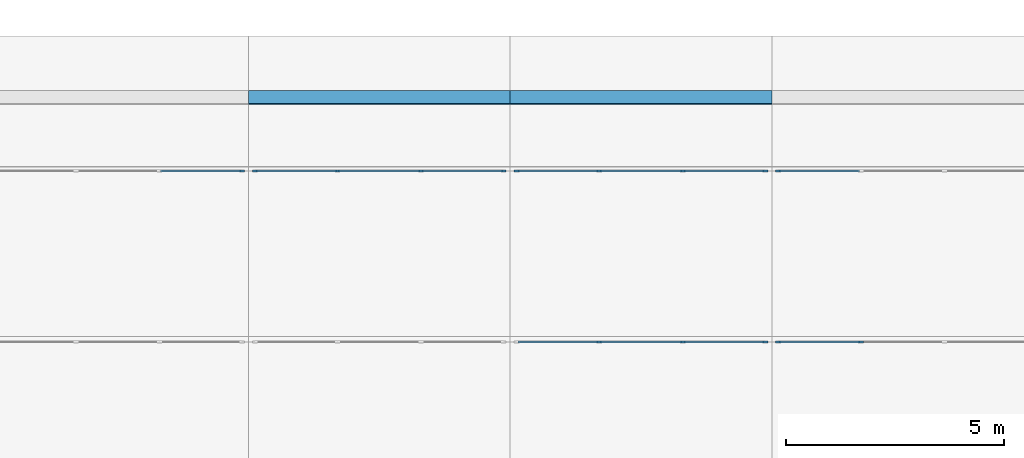
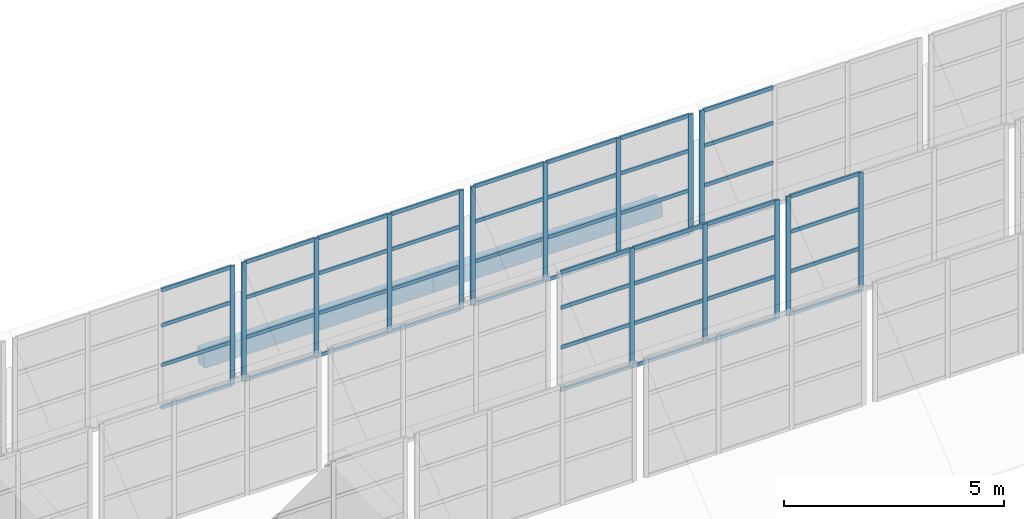
# One storey, part 30 of 122: 63 members, 2 beams, 6 elements without a shape of their own.
"""IFC4 building model written with IfcOpenShell, lengths in metres."""

from ifc_helpers import new_model, si_unit, direction, frame, origin, origin_2d, place, context, subcontext, project, spatial, rectangle, extrude, material, layer, layer_set, material_profile, profile_set, type_object, element, aggregate, save


model = new_model("IFC4")

# Units and contexts
model_context = context("Model", 3, precision=1e-05, world=origin(), true_north=direction((0.0, 1.0)))
body_context = subcontext(model_context, "Body", "Model", "MODEL_VIEW")
ifc_project = project(units=[si_unit("LENGTHUNIT", "METRE"), si_unit("AREAUNIT", "SQUARE_METRE"), si_unit("VOLUMEUNIT", "CUBIC_METRE"), si_unit("PLANEANGLEUNIT", "RADIAN"), si_unit("MASSUNIT", "GRAM", prefix="KILO")], contexts=[model_context])

# Site, building, storey
site_placement = place(None, origin())
site = spatial("IfcSite", under=ifc_project, at=site_placement, CompositionType="ELEMENT")
building_placement = place(site_placement, origin())
building = spatial("IfcBuilding", under=site, at=building_placement, Name="Ridgestep Commons", CompositionType="ELEMENT")
storey_placement = place(building_placement, frame((0.0, 0.0, 3.0)))
storey = spatial("IfcBuildingStorey", under=building, at=storey_placement, Name="L01", CompositionType="ELEMENT", Elevation=3.0)

# Beams
ifc_material_1 = material(Name="Precast concrete C40/50", Category="concrete")
ifc_material_profile_1 = material_profile(ifc_material_1, rectangle(XDim=0.300048828125, YDim=0.449951171875, at=origin_2d()), Name="Arcade beam 300 x 450")
ifc_profile_set_1 = profile_set([ifc_material_profile_1], Name="Precast concrete C40/50")
beam_type = type_object("IfcBeamType", Name="Arcade beam 300 x 450", PredefinedType="BEAM", material=ifc_profile_set_1)
for number, where, z_axis, x_axis, name in (
    (1, (193.800048828125, 47.58642578125, 0.87939453125), (1.0, 0.0, 0.0), (0.0, 0.998204845466, -0.05989229072), "Arcade beam"),
    (2, (199.800048828125, 47.58642578125, 0.87939453125), (1.0, 0.0, 0.0), (0.0, 0.998204845466, -0.05989229072), "Arcade beam"),
):
    element("IfcBeam", number, at=place(storey_placement, frame(where, z_axis=z_axis, x_axis=x_axis)), inside=storey, type_object=beam_type, Name=name, PredefinedType="BEAM", context=body_context, shape_type="SweptSolid", body=[
        extrude(rectangle(XDim=0.300048828125, YDim=0.449951171875, at=origin_2d()), origin(), (0.0, 0.0, 1.0), 6.0),
    ])

# Curtain wall, member
ifc_material_2 = material(Name="Aluminium and glass", Category="aluminium")
ifc_layer = layer(ifc_material_2, 0.14990234375)
ifc_layer_set = layer_set([ifc_layer], Name="Shop clerestory curtain wall")
curtain_wall_type = type_object("IfcCurtainWallType", Name="Shop clerestory curtain wall", PredefinedType="NOTDEFINED", material=ifc_layer_set)
curtain_wall_1_placement = place(storey_placement, origin())
curtain_wall_1 = element("IfcCurtainWall", 3, at=curtain_wall_1_placement, inside=storey, type_object=curtain_wall_type, Name="Shop clerestory curtain wall", PredefinedType="NOTDEFINED")
ifc_material_3 = material(Name="Aluminium", Category="aluminium")
ifc_material_profile_2 = material_profile(ifc_material_3, rectangle(XDim=0.050048828125, YDim=0.1201171875, at=origin_2d()), Name="Shop clerestory mullion 50 x 120")
ifc_profile_set_2 = profile_set([ifc_material_profile_2], Name="Aluminium")
member_type_1 = type_object("IfcMemberType", Name="Shop clerestory mullion 50 x 120", PredefinedType="MULLION", material=ifc_profile_set_2)
member_1_placement = place(storey_placement, frame((193.64990234375, 45.89990234375, 1.199951171875), z_axis=(0.0, 0.0, 1.0), x_axis=(0.0, 1.0, 0.0)))
member_1 = element("IfcMember", 4, at=member_1_placement, type_object=member_type_1, Name="CW5 mullion 4", PredefinedType="MULLION", context=body_context, shape_type="SweptSolid", body=[
    extrude(rectangle(XDim=0.050048828125, YDim=0.1201171875, at=origin_2d()), origin(), (0.0, 0.0, 1.0), 3.300048828125),
])

# Curtain wall, members
curtain_wall_2_placement = place(storey_placement, origin())
curtain_wall_2 = element("IfcCurtainWall", 5, at=curtain_wall_2_placement, inside=storey, type_object=curtain_wall_type, Name="Shop clerestory curtain wall", PredefinedType="NOTDEFINED")
member_2_placement = place(storey_placement, frame((193.949951171875, 45.89990234375, 1.199951171875), z_axis=(0.0, 0.0, 1.0), x_axis=(0.0, 1.0, 0.0)))
member_2 = element("IfcMember", 6, at=member_2_placement, type_object=member_type_1, Name="CW5 mullion 1", PredefinedType="MULLION", context=body_context, shape_type="SweptSolid", body=[
    extrude(rectangle(XDim=0.050048828125, YDim=0.1201171875, at=origin_2d()), origin(), (0.0, 0.0, 1.0), 3.300048828125),
])
member_3_placement = place(storey_placement, frame((195.841552734375, 45.89990234375, 1.199951171875), z_axis=(0.0, 0.0, 1.0), x_axis=(0.0, 1.0, 0.0)))
member_3 = element("IfcMember", 7, at=member_3_placement, type_object=member_type_1, Name="CW5 mullion 2", PredefinedType="MULLION", context=body_context, shape_type="SweptSolid", body=[
    extrude(rectangle(XDim=0.050048828125, YDim=0.1201171875, at=origin_2d()), origin(), (0.0, 0.0, 1.0), 3.300048828125),
])
member_4_placement = place(storey_placement, frame((197.75830078125, 45.89990234375, 1.199951171875), z_axis=(0.0, 0.0, 1.0), x_axis=(0.0, 1.0, 0.0)))
member_4 = element("IfcMember", 8, at=member_4_placement, type_object=member_type_1, Name="CW5 mullion 3", PredefinedType="MULLION", context=body_context, shape_type="SweptSolid", body=[
    extrude(rectangle(XDim=0.050048828125, YDim=0.1201171875, at=origin_2d()), origin(), (0.0, 0.0, 1.0), 3.300048828125),
])
member_5_placement = place(storey_placement, frame((199.64990234375, 45.89990234375, 1.199951171875), z_axis=(0.0, 0.0, 1.0), x_axis=(0.0, 1.0, 0.0)))
member_5 = element("IfcMember", 9, at=member_5_placement, type_object=member_type_1, Name="CW5 mullion 4", PredefinedType="MULLION", context=body_context, shape_type="SweptSolid", body=[
    extrude(rectangle(XDim=0.050048828125, YDim=0.1201171875, at=origin_2d()), origin(), (0.0, 0.0, 1.0), 3.300048828125),
])

curtain_wall_3_placement = place(storey_placement, origin())
curtain_wall_3 = element("IfcCurtainWall", 10, at=curtain_wall_3_placement, inside=storey, type_object=curtain_wall_type, Name="Shop clerestory curtain wall", PredefinedType="NOTDEFINED")
member_6_placement = place(storey_placement, frame((201.841552734375, 41.97509765625, 1.199951171875), z_axis=(0.0, 0.0, 1.0), x_axis=(0.0, 1.0, 0.0)))
member_6 = element("IfcMember", 11, at=member_6_placement, type_object=member_type_1, Name="CW5 mullion 2", PredefinedType="MULLION", context=body_context, shape_type="SweptSolid", body=[
    extrude(rectangle(XDim=0.050048828125, YDim=0.1201171875, at=origin_2d()), origin(), (0.0, 0.0, 1.0), 3.300048828125),
])
member_7_placement = place(storey_placement, frame((203.75830078125, 41.97509765625, 1.199951171875), z_axis=(0.0, 0.0, 1.0), x_axis=(0.0, 1.0, 0.0)))
member_7 = element("IfcMember", 12, at=member_7_placement, type_object=member_type_1, Name="CW5 mullion 3", PredefinedType="MULLION", context=body_context, shape_type="SweptSolid", body=[
    extrude(rectangle(XDim=0.050048828125, YDim=0.1201171875, at=origin_2d()), origin(), (0.0, 0.0, 1.0), 3.300048828125),
])
member_8_placement = place(storey_placement, frame((205.64990234375, 41.97509765625, 1.199951171875), z_axis=(0.0, 0.0, 1.0), x_axis=(0.0, 1.0, 0.0)))
member_8 = element("IfcMember", 13, at=member_8_placement, type_object=member_type_1, Name="CW5 mullion 4", PredefinedType="MULLION", context=body_context, shape_type="SweptSolid", body=[
    extrude(rectangle(XDim=0.050048828125, YDim=0.1201171875, at=origin_2d()), origin(), (0.0, 0.0, 1.0), 3.300048828125),
])

curtain_wall_4_placement = place(storey_placement, origin())
curtain_wall_4 = element("IfcCurtainWall", 14, at=curtain_wall_4_placement, inside=storey, type_object=curtain_wall_type, Name="Shop clerestory curtain wall", PredefinedType="NOTDEFINED")
member_9_placement = place(storey_placement, frame((199.949951171875, 45.89990234375, 1.199951171875), z_axis=(0.0, 0.0, 1.0), x_axis=(0.0, 1.0, 0.0)))
member_9 = element("IfcMember", 15, at=member_9_placement, type_object=member_type_1, Name="CW5 mullion 1", PredefinedType="MULLION", context=body_context, shape_type="SweptSolid", body=[
    extrude(rectangle(XDim=0.050048828125, YDim=0.1201171875, at=origin_2d()), origin(), (0.0, 0.0, 1.0), 3.300048828125),
])
member_10_placement = place(storey_placement, frame((201.841552734375, 45.89990234375, 1.199951171875), z_axis=(0.0, 0.0, 1.0), x_axis=(0.0, 1.0, 0.0)))
member_10 = element("IfcMember", 16, at=member_10_placement, type_object=member_type_1, Name="CW5 mullion 2", PredefinedType="MULLION", context=body_context, shape_type="SweptSolid", body=[
    extrude(rectangle(XDim=0.050048828125, YDim=0.1201171875, at=origin_2d()), origin(), (0.0, 0.0, 1.0), 3.300048828125),
])
member_11_placement = place(storey_placement, frame((203.75830078125, 45.89990234375, 1.199951171875), z_axis=(0.0, 0.0, 1.0), x_axis=(0.0, 1.0, 0.0)))
member_11 = element("IfcMember", 17, at=member_11_placement, type_object=member_type_1, Name="CW5 mullion 3", PredefinedType="MULLION", context=body_context, shape_type="SweptSolid", body=[
    extrude(rectangle(XDim=0.050048828125, YDim=0.1201171875, at=origin_2d()), origin(), (0.0, 0.0, 1.0), 3.300048828125),
])
member_12_placement = place(storey_placement, frame((205.64990234375, 45.89990234375, 1.199951171875), z_axis=(0.0, 0.0, 1.0), x_axis=(0.0, 1.0, 0.0)))
member_12 = element("IfcMember", 18, at=member_12_placement, type_object=member_type_1, Name="CW5 mullion 4", PredefinedType="MULLION", context=body_context, shape_type="SweptSolid", body=[
    extrude(rectangle(XDim=0.050048828125, YDim=0.1201171875, at=origin_2d()), origin(), (0.0, 0.0, 1.0), 3.300048828125),
])

curtain_wall_5_placement = place(storey_placement, origin())
curtain_wall_5 = element("IfcCurtainWall", 19, at=curtain_wall_5_placement, inside=storey, type_object=curtain_wall_type, Name="Shop clerestory curtain wall", PredefinedType="NOTDEFINED")
member_13_placement = place(storey_placement, frame((205.949951171875, 41.97509765625, 1.199951171875), z_axis=(0.0, 0.0, 1.0), x_axis=(0.0, 1.0, 0.0)))
member_13 = element("IfcMember", 20, at=member_13_placement, type_object=member_type_1, Name="CW5 mullion 1", PredefinedType="MULLION", context=body_context, shape_type="SweptSolid", body=[
    extrude(rectangle(XDim=0.050048828125, YDim=0.1201171875, at=origin_2d()), origin(), (0.0, 0.0, 1.0), 3.300048828125),
])
member_14_placement = place(storey_placement, frame((207.841552734375, 41.97509765625, 1.199951171875), z_axis=(0.0, 0.0, 1.0), x_axis=(0.0, 1.0, 0.0)))
member_14 = element("IfcMember", 21, at=member_14_placement, type_object=member_type_1, Name="CW5 mullion 2", PredefinedType="MULLION", context=body_context, shape_type="SweptSolid", body=[
    extrude(rectangle(XDim=0.050048828125, YDim=0.1201171875, at=origin_2d()), origin(), (0.0, 0.0, 1.0), 3.300048828125),
])

# Curtain wall, member
curtain_wall_6_placement = place(storey_placement, origin())
curtain_wall_6 = element("IfcCurtainWall", 22, at=curtain_wall_6_placement, inside=storey, type_object=curtain_wall_type, Name="Shop clerestory curtain wall", PredefinedType="NOTDEFINED")
member_15_placement = place(storey_placement, frame((205.949951171875, 45.89990234375, 1.199951171875), z_axis=(0.0, 0.0, 1.0), x_axis=(0.0, 1.0, 0.0)))
member_15 = element("IfcMember", 23, at=member_15_placement, type_object=member_type_1, Name="CW5 mullion 1", PredefinedType="MULLION", context=body_context, shape_type="SweptSolid", body=[
    extrude(rectangle(XDim=0.050048828125, YDim=0.1201171875, at=origin_2d()), origin(), (0.0, 0.0, 1.0), 3.300048828125),
])

# Member
ifc_material_4 = material(Name="Aluminium", Category="aluminium")
ifc_material_profile_3 = material_profile(ifc_material_4, rectangle(XDim=0.050048828125, YDim=0.10009765625, at=origin_2d()), Name="Shop clerestory transom 50 x 100")
ifc_profile_set_3 = profile_set([ifc_material_profile_3], Name="Aluminium")
member_type_2 = type_object("IfcMemberType", Name="Shop clerestory transom 50 x 100", PredefinedType="USERDEFINED", material=ifc_profile_set_3)
member_16_placement = place(storey_placement, frame((191.783447265625, 45.89990234375, 1.22509765625), z_axis=(1.0, 0.0, 0.0), x_axis=(0.0, 1.0, 0.0)))
member_16 = element("IfcMember", 24, at=member_16_placement, type_object=member_type_2, Name="CW5 transom 3.1", ObjectType="TRANSOM", PredefinedType="USERDEFINED", context=body_context, shape_type="SweptSolid", body=[
    extrude(rectangle(XDim=0.050048828125, YDim=0.10009765625, at=origin_2d()), origin(), (0.0, 0.0, 1.0), 1.841552734375),
])

member_17_placement = place(storey_placement, frame((191.783447265625, 45.89990234375, 2.39990234375), z_axis=(1.0, 0.0, 0.0), x_axis=(0.0, 1.0, 0.0)))
member_17 = element("IfcMember", 25, at=member_17_placement, type_object=member_type_2, Name="CW5 transom 3.2", ObjectType="TRANSOM", PredefinedType="USERDEFINED", context=body_context, shape_type="SweptSolid", body=[
    extrude(rectangle(XDim=0.050048828125, YDim=0.10009765625, at=origin_2d()), origin(), (0.0, 0.0, 1.0), 1.841552734375),
])

member_18_placement = place(storey_placement, frame((191.783447265625, 45.89990234375, 3.5), z_axis=(1.0, 0.0, 0.0), x_axis=(0.0, 1.0, 0.0)))
member_18 = element("IfcMember", 26, at=member_18_placement, type_object=member_type_2, Name="CW5 transom 3.3", ObjectType="TRANSOM", PredefinedType="USERDEFINED", context=body_context, shape_type="SweptSolid", body=[
    extrude(rectangle(XDim=0.050048828125, YDim=0.10009765625, at=origin_2d()), origin(), (0.0, 0.0, 1.0), 1.841552734375),
])

member_19_placement = place(storey_placement, frame((191.783447265625, 45.89990234375, 4.47509765625), z_axis=(1.0, 0.0, 0.0), x_axis=(0.0, 1.0, 0.0)))
member_19 = element("IfcMember", 27, at=member_19_placement, type_object=member_type_2, Name="CW5 transom 3.4", ObjectType="TRANSOM", PredefinedType="USERDEFINED", context=body_context, shape_type="SweptSolid", body=[
    extrude(rectangle(XDim=0.050048828125, YDim=0.10009765625, at=origin_2d()), origin(), (0.0, 0.0, 1.0), 1.841552734375),
])

aggregate(curtain_wall_1, [member_1, member_16, member_17, member_18, member_19])

member_20_placement = place(storey_placement, frame((193.97509765625, 45.89990234375, 1.22509765625), z_axis=(1.0, 0.0, 0.0), x_axis=(0.0, 1.0, 0.0)))
member_20 = element("IfcMember", 28, at=member_20_placement, type_object=member_type_2, Name="CW5 transom 1.1", ObjectType="TRANSOM", PredefinedType="USERDEFINED", context=body_context, shape_type="SweptSolid", body=[
    extrude(rectangle(XDim=0.050048828125, YDim=0.10009765625, at=origin_2d()), origin(), (0.0, 0.0, 1.0), 1.841552734375),
])

member_21_placement = place(storey_placement, frame((193.97509765625, 45.89990234375, 2.39990234375), z_axis=(1.0, 0.0, 0.0), x_axis=(0.0, 1.0, 0.0)))
member_21 = element("IfcMember", 29, at=member_21_placement, type_object=member_type_2, Name="CW5 transom 1.2", ObjectType="TRANSOM", PredefinedType="USERDEFINED", context=body_context, shape_type="SweptSolid", body=[
    extrude(rectangle(XDim=0.050048828125, YDim=0.10009765625, at=origin_2d()), origin(), (0.0, 0.0, 1.0), 1.841552734375),
])

member_22_placement = place(storey_placement, frame((193.97509765625, 45.89990234375, 3.5), z_axis=(1.0, 0.0, 0.0), x_axis=(0.0, 1.0, 0.0)))
member_22 = element("IfcMember", 30, at=member_22_placement, type_object=member_type_2, Name="CW5 transom 1.3", ObjectType="TRANSOM", PredefinedType="USERDEFINED", context=body_context, shape_type="SweptSolid", body=[
    extrude(rectangle(XDim=0.050048828125, YDim=0.10009765625, at=origin_2d()), origin(), (0.0, 0.0, 1.0), 1.841552734375),
])

member_23_placement = place(storey_placement, frame((193.97509765625, 45.89990234375, 4.47509765625), z_axis=(1.0, 0.0, 0.0), x_axis=(0.0, 1.0, 0.0)))
member_23 = element("IfcMember", 31, at=member_23_placement, type_object=member_type_2, Name="CW5 transom 1.4", ObjectType="TRANSOM", PredefinedType="USERDEFINED", context=body_context, shape_type="SweptSolid", body=[
    extrude(rectangle(XDim=0.050048828125, YDim=0.10009765625, at=origin_2d()), origin(), (0.0, 0.0, 1.0), 1.841552734375),
])

member_24_placement = place(storey_placement, frame((195.86669921875, 45.89990234375, 1.22509765625), z_axis=(1.0, 0.0, 0.0), x_axis=(0.0, 1.0, 0.0)))
member_24 = element("IfcMember", 32, at=member_24_placement, type_object=member_type_2, Name="CW5 transom 2.1", ObjectType="TRANSOM", PredefinedType="USERDEFINED", context=body_context, shape_type="SweptSolid", body=[
    extrude(rectangle(XDim=0.050048828125, YDim=0.10009765625, at=origin_2d()), origin(), (0.0, 0.0, 1.0), 1.86669921875),
])

member_25_placement = place(storey_placement, frame((195.86669921875, 45.89990234375, 2.39990234375), z_axis=(1.0, 0.0, 0.0), x_axis=(0.0, 1.0, 0.0)))
member_25 = element("IfcMember", 33, at=member_25_placement, type_object=member_type_2, Name="CW5 transom 2.2", ObjectType="TRANSOM", PredefinedType="USERDEFINED", context=body_context, shape_type="SweptSolid", body=[
    extrude(rectangle(XDim=0.050048828125, YDim=0.10009765625, at=origin_2d()), origin(), (0.0, 0.0, 1.0), 1.86669921875),
])

member_26_placement = place(storey_placement, frame((195.86669921875, 45.89990234375, 3.5), z_axis=(1.0, 0.0, 0.0), x_axis=(0.0, 1.0, 0.0)))
member_26 = element("IfcMember", 34, at=member_26_placement, type_object=member_type_2, Name="CW5 transom 2.3", ObjectType="TRANSOM", PredefinedType="USERDEFINED", context=body_context, shape_type="SweptSolid", body=[
    extrude(rectangle(XDim=0.050048828125, YDim=0.10009765625, at=origin_2d()), origin(), (0.0, 0.0, 1.0), 1.86669921875),
])

member_27_placement = place(storey_placement, frame((195.86669921875, 45.89990234375, 4.47509765625), z_axis=(1.0, 0.0, 0.0), x_axis=(0.0, 1.0, 0.0)))
member_27 = element("IfcMember", 35, at=member_27_placement, type_object=member_type_2, Name="CW5 transom 2.4", ObjectType="TRANSOM", PredefinedType="USERDEFINED", context=body_context, shape_type="SweptSolid", body=[
    extrude(rectangle(XDim=0.050048828125, YDim=0.10009765625, at=origin_2d()), origin(), (0.0, 0.0, 1.0), 1.86669921875),
])

member_28_placement = place(storey_placement, frame((197.783447265625, 45.89990234375, 1.22509765625), z_axis=(1.0, 0.0, 0.0), x_axis=(0.0, 1.0, 0.0)))
member_28 = element("IfcMember", 36, at=member_28_placement, type_object=member_type_2, Name="CW5 transom 3.1", ObjectType="TRANSOM", PredefinedType="USERDEFINED", context=body_context, shape_type="SweptSolid", body=[
    extrude(rectangle(XDim=0.050048828125, YDim=0.10009765625, at=origin_2d()), origin(), (0.0, 0.0, 1.0), 1.841552734375),
])

member_29_placement = place(storey_placement, frame((197.783447265625, 45.89990234375, 2.39990234375), z_axis=(1.0, 0.0, 0.0), x_axis=(0.0, 1.0, 0.0)))
member_29 = element("IfcMember", 37, at=member_29_placement, type_object=member_type_2, Name="CW5 transom 3.2", ObjectType="TRANSOM", PredefinedType="USERDEFINED", context=body_context, shape_type="SweptSolid", body=[
    extrude(rectangle(XDim=0.050048828125, YDim=0.10009765625, at=origin_2d()), origin(), (0.0, 0.0, 1.0), 1.841552734375),
])

member_30_placement = place(storey_placement, frame((197.783447265625, 45.89990234375, 3.5), z_axis=(1.0, 0.0, 0.0), x_axis=(0.0, 1.0, 0.0)))
member_30 = element("IfcMember", 38, at=member_30_placement, type_object=member_type_2, Name="CW5 transom 3.3", ObjectType="TRANSOM", PredefinedType="USERDEFINED", context=body_context, shape_type="SweptSolid", body=[
    extrude(rectangle(XDim=0.050048828125, YDim=0.10009765625, at=origin_2d()), origin(), (0.0, 0.0, 1.0), 1.841552734375),
])

member_31_placement = place(storey_placement, frame((197.783447265625, 45.89990234375, 4.47509765625), z_axis=(1.0, 0.0, 0.0), x_axis=(0.0, 1.0, 0.0)))
member_31 = element("IfcMember", 39, at=member_31_placement, type_object=member_type_2, Name="CW5 transom 3.4", ObjectType="TRANSOM", PredefinedType="USERDEFINED", context=body_context, shape_type="SweptSolid", body=[
    extrude(rectangle(XDim=0.050048828125, YDim=0.10009765625, at=origin_2d()), origin(), (0.0, 0.0, 1.0), 1.841552734375),
])

aggregate(curtain_wall_2, [member_2, member_3, member_4, member_5, member_20, member_21, member_22, member_23, member_24, member_25, member_26, member_27, member_28, member_29, member_30, member_31])

member_32_placement = place(storey_placement, frame((199.97509765625, 41.97509765625, 1.22509765625), z_axis=(1.0, 0.0, 0.0), x_axis=(0.0, 1.0, 0.0)))
member_32 = element("IfcMember", 40, at=member_32_placement, type_object=member_type_2, Name="CW5 transom 1.1", ObjectType="TRANSOM", PredefinedType="USERDEFINED", context=body_context, shape_type="SweptSolid", body=[
    extrude(rectangle(XDim=0.050048828125, YDim=0.10009765625, at=origin_2d()), origin(), (0.0, 0.0, 1.0), 1.841552734375),
])

member_33_placement = place(storey_placement, frame((199.97509765625, 41.97509765625, 2.39990234375), z_axis=(1.0, 0.0, 0.0), x_axis=(0.0, 1.0, 0.0)))
member_33 = element("IfcMember", 41, at=member_33_placement, type_object=member_type_2, Name="CW5 transom 1.2", ObjectType="TRANSOM", PredefinedType="USERDEFINED", context=body_context, shape_type="SweptSolid", body=[
    extrude(rectangle(XDim=0.050048828125, YDim=0.10009765625, at=origin_2d()), origin(), (0.0, 0.0, 1.0), 1.841552734375),
])

member_34_placement = place(storey_placement, frame((199.97509765625, 41.97509765625, 3.5), z_axis=(1.0, 0.0, 0.0), x_axis=(0.0, 1.0, 0.0)))
member_34 = element("IfcMember", 42, at=member_34_placement, type_object=member_type_2, Name="CW5 transom 1.3", ObjectType="TRANSOM", PredefinedType="USERDEFINED", context=body_context, shape_type="SweptSolid", body=[
    extrude(rectangle(XDim=0.050048828125, YDim=0.10009765625, at=origin_2d()), origin(), (0.0, 0.0, 1.0), 1.841552734375),
])

member_35_placement = place(storey_placement, frame((199.97509765625, 41.97509765625, 4.47509765625), z_axis=(1.0, 0.0, 0.0), x_axis=(0.0, 1.0, 0.0)))
member_35 = element("IfcMember", 43, at=member_35_placement, type_object=member_type_2, Name="CW5 transom 1.4", ObjectType="TRANSOM", PredefinedType="USERDEFINED", context=body_context, shape_type="SweptSolid", body=[
    extrude(rectangle(XDim=0.050048828125, YDim=0.10009765625, at=origin_2d()), origin(), (0.0, 0.0, 1.0), 1.841552734375),
])

member_36_placement = place(storey_placement, frame((201.86669921875, 41.97509765625, 1.22509765625), z_axis=(1.0, 0.0, 0.0), x_axis=(0.0, 1.0, 0.0)))
member_36 = element("IfcMember", 44, at=member_36_placement, type_object=member_type_2, Name="CW5 transom 2.1", ObjectType="TRANSOM", PredefinedType="USERDEFINED", context=body_context, shape_type="SweptSolid", body=[
    extrude(rectangle(XDim=0.050048828125, YDim=0.10009765625, at=origin_2d()), origin(), (0.0, 0.0, 1.0), 1.86669921875),
])

member_37_placement = place(storey_placement, frame((201.86669921875, 41.97509765625, 2.39990234375), z_axis=(1.0, 0.0, 0.0), x_axis=(0.0, 1.0, 0.0)))
member_37 = element("IfcMember", 45, at=member_37_placement, type_object=member_type_2, Name="CW5 transom 2.2", ObjectType="TRANSOM", PredefinedType="USERDEFINED", context=body_context, shape_type="SweptSolid", body=[
    extrude(rectangle(XDim=0.050048828125, YDim=0.10009765625, at=origin_2d()), origin(), (0.0, 0.0, 1.0), 1.86669921875),
])

member_38_placement = place(storey_placement, frame((201.86669921875, 41.97509765625, 3.5), z_axis=(1.0, 0.0, 0.0), x_axis=(0.0, 1.0, 0.0)))
member_38 = element("IfcMember", 46, at=member_38_placement, type_object=member_type_2, Name="CW5 transom 2.3", ObjectType="TRANSOM", PredefinedType="USERDEFINED", context=body_context, shape_type="SweptSolid", body=[
    extrude(rectangle(XDim=0.050048828125, YDim=0.10009765625, at=origin_2d()), origin(), (0.0, 0.0, 1.0), 1.86669921875),
])

member_39_placement = place(storey_placement, frame((201.86669921875, 41.97509765625, 4.47509765625), z_axis=(1.0, 0.0, 0.0), x_axis=(0.0, 1.0, 0.0)))
member_39 = element("IfcMember", 47, at=member_39_placement, type_object=member_type_2, Name="CW5 transom 2.4", ObjectType="TRANSOM", PredefinedType="USERDEFINED", context=body_context, shape_type="SweptSolid", body=[
    extrude(rectangle(XDim=0.050048828125, YDim=0.10009765625, at=origin_2d()), origin(), (0.0, 0.0, 1.0), 1.86669921875),
])

member_40_placement = place(storey_placement, frame((203.783447265625, 41.97509765625, 1.22509765625), z_axis=(1.0, 0.0, 0.0), x_axis=(0.0, 1.0, 0.0)))
member_40 = element("IfcMember", 48, at=member_40_placement, type_object=member_type_2, Name="CW5 transom 3.1", ObjectType="TRANSOM", PredefinedType="USERDEFINED", context=body_context, shape_type="SweptSolid", body=[
    extrude(rectangle(XDim=0.050048828125, YDim=0.10009765625, at=origin_2d()), origin(), (0.0, 0.0, 1.0), 1.841552734375),
])

member_41_placement = place(storey_placement, frame((203.783447265625, 41.97509765625, 2.39990234375), z_axis=(1.0, 0.0, 0.0), x_axis=(0.0, 1.0, 0.0)))
member_41 = element("IfcMember", 49, at=member_41_placement, type_object=member_type_2, Name="CW5 transom 3.2", ObjectType="TRANSOM", PredefinedType="USERDEFINED", context=body_context, shape_type="SweptSolid", body=[
    extrude(rectangle(XDim=0.050048828125, YDim=0.10009765625, at=origin_2d()), origin(), (0.0, 0.0, 1.0), 1.841552734375),
])

member_42_placement = place(storey_placement, frame((203.783447265625, 41.97509765625, 3.5), z_axis=(1.0, 0.0, 0.0), x_axis=(0.0, 1.0, 0.0)))
member_42 = element("IfcMember", 50, at=member_42_placement, type_object=member_type_2, Name="CW5 transom 3.3", ObjectType="TRANSOM", PredefinedType="USERDEFINED", context=body_context, shape_type="SweptSolid", body=[
    extrude(rectangle(XDim=0.050048828125, YDim=0.10009765625, at=origin_2d()), origin(), (0.0, 0.0, 1.0), 1.841552734375),
])

member_43_placement = place(storey_placement, frame((203.783447265625, 41.97509765625, 4.47509765625), z_axis=(1.0, 0.0, 0.0), x_axis=(0.0, 1.0, 0.0)))
member_43 = element("IfcMember", 51, at=member_43_placement, type_object=member_type_2, Name="CW5 transom 3.4", ObjectType="TRANSOM", PredefinedType="USERDEFINED", context=body_context, shape_type="SweptSolid", body=[
    extrude(rectangle(XDim=0.050048828125, YDim=0.10009765625, at=origin_2d()), origin(), (0.0, 0.0, 1.0), 1.841552734375),
])

aggregate(curtain_wall_3, [member_6, member_7, member_8, member_32, member_33, member_34, member_35, member_36, member_37, member_38, member_39, member_40, member_41, member_42, member_43])

member_44_placement = place(storey_placement, frame((199.97509765625, 45.89990234375, 1.22509765625), z_axis=(1.0, 0.0, 0.0), x_axis=(0.0, 1.0, 0.0)))
member_44 = element("IfcMember", 52, at=member_44_placement, type_object=member_type_2, Name="CW5 transom 1.1", ObjectType="TRANSOM", PredefinedType="USERDEFINED", context=body_context, shape_type="SweptSolid", body=[
    extrude(rectangle(XDim=0.050048828125, YDim=0.10009765625, at=origin_2d()), origin(), (0.0, 0.0, 1.0), 1.841552734375),
])

member_45_placement = place(storey_placement, frame((199.97509765625, 45.89990234375, 2.39990234375), z_axis=(1.0, 0.0, 0.0), x_axis=(0.0, 1.0, 0.0)))
member_45 = element("IfcMember", 53, at=member_45_placement, type_object=member_type_2, Name="CW5 transom 1.2", ObjectType="TRANSOM", PredefinedType="USERDEFINED", context=body_context, shape_type="SweptSolid", body=[
    extrude(rectangle(XDim=0.050048828125, YDim=0.10009765625, at=origin_2d()), origin(), (0.0, 0.0, 1.0), 1.841552734375),
])

member_46_placement = place(storey_placement, frame((199.97509765625, 45.89990234375, 3.5), z_axis=(1.0, 0.0, 0.0), x_axis=(0.0, 1.0, 0.0)))
member_46 = element("IfcMember", 54, at=member_46_placement, type_object=member_type_2, Name="CW5 transom 1.3", ObjectType="TRANSOM", PredefinedType="USERDEFINED", context=body_context, shape_type="SweptSolid", body=[
    extrude(rectangle(XDim=0.050048828125, YDim=0.10009765625, at=origin_2d()), origin(), (0.0, 0.0, 1.0), 1.841552734375),
])

member_47_placement = place(storey_placement, frame((199.97509765625, 45.89990234375, 4.47509765625), z_axis=(1.0, 0.0, 0.0), x_axis=(0.0, 1.0, 0.0)))
member_47 = element("IfcMember", 55, at=member_47_placement, type_object=member_type_2, Name="CW5 transom 1.4", ObjectType="TRANSOM", PredefinedType="USERDEFINED", context=body_context, shape_type="SweptSolid", body=[
    extrude(rectangle(XDim=0.050048828125, YDim=0.10009765625, at=origin_2d()), origin(), (0.0, 0.0, 1.0), 1.841552734375),
])

member_48_placement = place(storey_placement, frame((201.86669921875, 45.89990234375, 1.22509765625), z_axis=(1.0, 0.0, 0.0), x_axis=(0.0, 1.0, 0.0)))
member_48 = element("IfcMember", 56, at=member_48_placement, type_object=member_type_2, Name="CW5 transom 2.1", ObjectType="TRANSOM", PredefinedType="USERDEFINED", context=body_context, shape_type="SweptSolid", body=[
    extrude(rectangle(XDim=0.050048828125, YDim=0.10009765625, at=origin_2d()), origin(), (0.0, 0.0, 1.0), 1.86669921875),
])

member_49_placement = place(storey_placement, frame((201.86669921875, 45.89990234375, 2.39990234375), z_axis=(1.0, 0.0, 0.0), x_axis=(0.0, 1.0, 0.0)))
member_49 = element("IfcMember", 57, at=member_49_placement, type_object=member_type_2, Name="CW5 transom 2.2", ObjectType="TRANSOM", PredefinedType="USERDEFINED", context=body_context, shape_type="SweptSolid", body=[
    extrude(rectangle(XDim=0.050048828125, YDim=0.10009765625, at=origin_2d()), origin(), (0.0, 0.0, 1.0), 1.86669921875),
])

member_50_placement = place(storey_placement, frame((201.86669921875, 45.89990234375, 3.5), z_axis=(1.0, 0.0, 0.0), x_axis=(0.0, 1.0, 0.0)))
member_50 = element("IfcMember", 58, at=member_50_placement, type_object=member_type_2, Name="CW5 transom 2.3", ObjectType="TRANSOM", PredefinedType="USERDEFINED", context=body_context, shape_type="SweptSolid", body=[
    extrude(rectangle(XDim=0.050048828125, YDim=0.10009765625, at=origin_2d()), origin(), (0.0, 0.0, 1.0), 1.86669921875),
])

member_51_placement = place(storey_placement, frame((201.86669921875, 45.89990234375, 4.47509765625), z_axis=(1.0, 0.0, 0.0), x_axis=(0.0, 1.0, 0.0)))
member_51 = element("IfcMember", 59, at=member_51_placement, type_object=member_type_2, Name="CW5 transom 2.4", ObjectType="TRANSOM", PredefinedType="USERDEFINED", context=body_context, shape_type="SweptSolid", body=[
    extrude(rectangle(XDim=0.050048828125, YDim=0.10009765625, at=origin_2d()), origin(), (0.0, 0.0, 1.0), 1.86669921875),
])

member_52_placement = place(storey_placement, frame((203.783447265625, 45.89990234375, 1.22509765625), z_axis=(1.0, 0.0, 0.0), x_axis=(0.0, 1.0, 0.0)))
member_52 = element("IfcMember", 60, at=member_52_placement, type_object=member_type_2, Name="CW5 transom 3.1", ObjectType="TRANSOM", PredefinedType="USERDEFINED", context=body_context, shape_type="SweptSolid", body=[
    extrude(rectangle(XDim=0.050048828125, YDim=0.10009765625, at=origin_2d()), origin(), (0.0, 0.0, 1.0), 1.841552734375),
])

member_53_placement = place(storey_placement, frame((203.783447265625, 45.89990234375, 2.39990234375), z_axis=(1.0, 0.0, 0.0), x_axis=(0.0, 1.0, 0.0)))
member_53 = element("IfcMember", 61, at=member_53_placement, type_object=member_type_2, Name="CW5 transom 3.2", ObjectType="TRANSOM", PredefinedType="USERDEFINED", context=body_context, shape_type="SweptSolid", body=[
    extrude(rectangle(XDim=0.050048828125, YDim=0.10009765625, at=origin_2d()), origin(), (0.0, 0.0, 1.0), 1.841552734375),
])

member_54_placement = place(storey_placement, frame((203.783447265625, 45.89990234375, 3.5), z_axis=(1.0, 0.0, 0.0), x_axis=(0.0, 1.0, 0.0)))
member_54 = element("IfcMember", 62, at=member_54_placement, type_object=member_type_2, Name="CW5 transom 3.3", ObjectType="TRANSOM", PredefinedType="USERDEFINED", context=body_context, shape_type="SweptSolid", body=[
    extrude(rectangle(XDim=0.050048828125, YDim=0.10009765625, at=origin_2d()), origin(), (0.0, 0.0, 1.0), 1.841552734375),
])

member_55_placement = place(storey_placement, frame((203.783447265625, 45.89990234375, 4.47509765625), z_axis=(1.0, 0.0, 0.0), x_axis=(0.0, 1.0, 0.0)))
member_55 = element("IfcMember", 63, at=member_55_placement, type_object=member_type_2, Name="CW5 transom 3.4", ObjectType="TRANSOM", PredefinedType="USERDEFINED", context=body_context, shape_type="SweptSolid", body=[
    extrude(rectangle(XDim=0.050048828125, YDim=0.10009765625, at=origin_2d()), origin(), (0.0, 0.0, 1.0), 1.841552734375),
])

aggregate(curtain_wall_4, [member_9, member_10, member_11, member_12, member_44, member_45, member_46, member_47, member_48, member_49, member_50, member_51, member_52, member_53, member_54, member_55])

member_56_placement = place(storey_placement, frame((205.97509765625, 41.97509765625, 1.22509765625), z_axis=(1.0, 0.0, 0.0), x_axis=(0.0, 1.0, 0.0)))
member_56 = element("IfcMember", 64, at=member_56_placement, type_object=member_type_2, Name="CW5 transom 1.1", ObjectType="TRANSOM", PredefinedType="USERDEFINED", context=body_context, shape_type="SweptSolid", body=[
    extrude(rectangle(XDim=0.050048828125, YDim=0.10009765625, at=origin_2d()), origin(), (0.0, 0.0, 1.0), 1.841552734375),
])

member_57_placement = place(storey_placement, frame((205.97509765625, 41.97509765625, 2.39990234375), z_axis=(1.0, 0.0, 0.0), x_axis=(0.0, 1.0, 0.0)))
member_57 = element("IfcMember", 65, at=member_57_placement, type_object=member_type_2, Name="CW5 transom 1.2", ObjectType="TRANSOM", PredefinedType="USERDEFINED", context=body_context, shape_type="SweptSolid", body=[
    extrude(rectangle(XDim=0.050048828125, YDim=0.10009765625, at=origin_2d()), origin(), (0.0, 0.0, 1.0), 1.841552734375),
])

member_58_placement = place(storey_placement, frame((205.97509765625, 41.97509765625, 3.5), z_axis=(1.0, 0.0, 0.0), x_axis=(0.0, 1.0, 0.0)))
member_58 = element("IfcMember", 66, at=member_58_placement, type_object=member_type_2, Name="CW5 transom 1.3", ObjectType="TRANSOM", PredefinedType="USERDEFINED", context=body_context, shape_type="SweptSolid", body=[
    extrude(rectangle(XDim=0.050048828125, YDim=0.10009765625, at=origin_2d()), origin(), (0.0, 0.0, 1.0), 1.841552734375),
])

member_59_placement = place(storey_placement, frame((205.97509765625, 41.97509765625, 4.47509765625), z_axis=(1.0, 0.0, 0.0), x_axis=(0.0, 1.0, 0.0)))
member_59 = element("IfcMember", 67, at=member_59_placement, type_object=member_type_2, Name="CW5 transom 1.4", ObjectType="TRANSOM", PredefinedType="USERDEFINED", context=body_context, shape_type="SweptSolid", body=[
    extrude(rectangle(XDim=0.050048828125, YDim=0.10009765625, at=origin_2d()), origin(), (0.0, 0.0, 1.0), 1.841552734375),
])

aggregate(curtain_wall_5, [member_13, member_14, member_56, member_57, member_58, member_59])

member_60_placement = place(storey_placement, frame((205.97509765625, 45.89990234375, 1.22509765625), z_axis=(1.0, 0.0, 0.0), x_axis=(0.0, 1.0, 0.0)))
member_60 = element("IfcMember", 68, at=member_60_placement, type_object=member_type_2, Name="CW5 transom 1.1", ObjectType="TRANSOM", PredefinedType="USERDEFINED", context=body_context, shape_type="SweptSolid", body=[
    extrude(rectangle(XDim=0.050048828125, YDim=0.10009765625, at=origin_2d()), origin(), (0.0, 0.0, 1.0), 1.841552734375),
])

member_61_placement = place(storey_placement, frame((205.97509765625, 45.89990234375, 2.39990234375), z_axis=(1.0, 0.0, 0.0), x_axis=(0.0, 1.0, 0.0)))
member_61 = element("IfcMember", 69, at=member_61_placement, type_object=member_type_2, Name="CW5 transom 1.2", ObjectType="TRANSOM", PredefinedType="USERDEFINED", context=body_context, shape_type="SweptSolid", body=[
    extrude(rectangle(XDim=0.050048828125, YDim=0.10009765625, at=origin_2d()), origin(), (0.0, 0.0, 1.0), 1.841552734375),
])

member_62_placement = place(storey_placement, frame((205.97509765625, 45.89990234375, 3.5), z_axis=(1.0, 0.0, 0.0), x_axis=(0.0, 1.0, 0.0)))
member_62 = element("IfcMember", 70, at=member_62_placement, type_object=member_type_2, Name="CW5 transom 1.3", ObjectType="TRANSOM", PredefinedType="USERDEFINED", context=body_context, shape_type="SweptSolid", body=[
    extrude(rectangle(XDim=0.050048828125, YDim=0.10009765625, at=origin_2d()), origin(), (0.0, 0.0, 1.0), 1.841552734375),
])

member_63_placement = place(storey_placement, frame((205.97509765625, 45.89990234375, 4.47509765625), z_axis=(1.0, 0.0, 0.0), x_axis=(0.0, 1.0, 0.0)))
member_63 = element("IfcMember", 71, at=member_63_placement, type_object=member_type_2, Name="CW5 transom 1.4", ObjectType="TRANSOM", PredefinedType="USERDEFINED", context=body_context, shape_type="SweptSolid", body=[
    extrude(rectangle(XDim=0.050048828125, YDim=0.10009765625, at=origin_2d()), origin(), (0.0, 0.0, 1.0), 1.841552734375),
])

aggregate(curtain_wall_6, [member_15, member_60, member_61, member_62, member_63])

save(model, "model.ifc")
